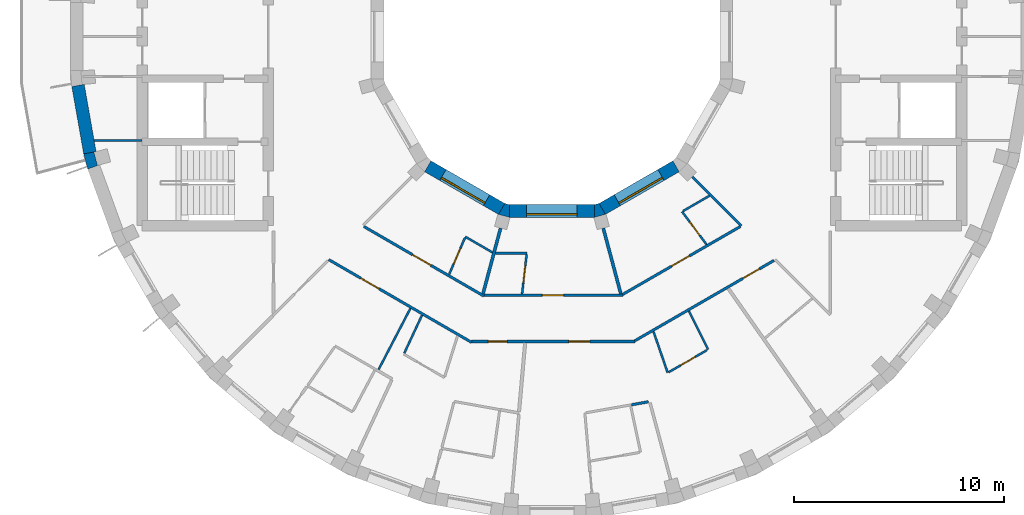
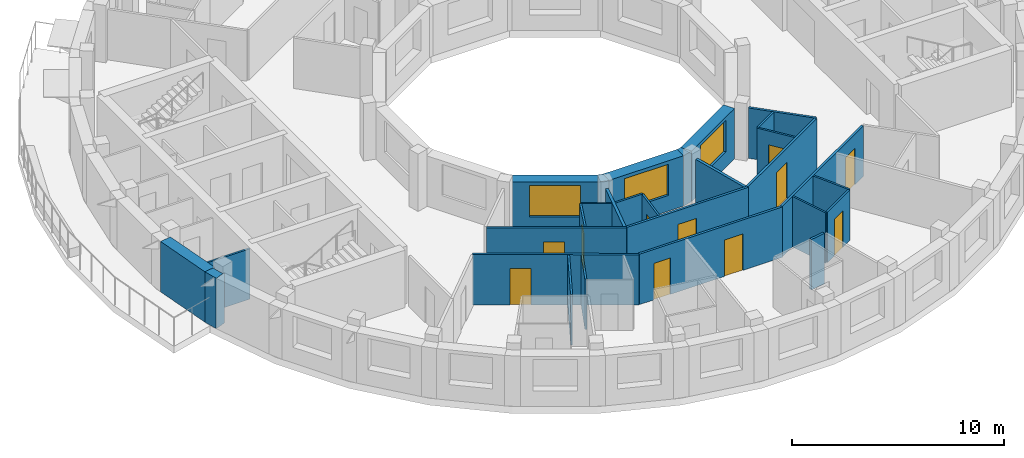
# One storey, part 3 of 10: 29 walls, 11 doors, 3 windows, 14 openings.
"""IFC4 building model written with IfcOpenShell, lengths in metres."""

from ifc_helpers import new_model, si_unit, direction, frame, frame_2d, origin, place, context, subcontext, project, spatial, polyline, rectangle, outline, extrude, material, layer, layer_set, type_object, element, fill, save


model = new_model("IFC4")

# Units and contexts
model_context = context("Model", 3, precision=1e-05, world=origin(), true_north=direction((0.0, 1.0)))
body_context = subcontext(model_context, "Body", "Model", "MODEL_VIEW")
ifc_project = project(units=[si_unit("LENGTHUNIT", "METRE"), si_unit("AREAUNIT", "SQUARE_METRE"), si_unit("VOLUMEUNIT", "CUBIC_METRE"), si_unit("PLANEANGLEUNIT", "RADIAN"), si_unit("MASSUNIT", "GRAM", prefix="KILO")], contexts=[model_context])

# Site, building, storey
site_placement = place(None, origin())
site = spatial("IfcSite", under=ifc_project, at=site_placement, CompositionType="ELEMENT")
building_placement = place(site_placement, origin())
building = spatial("IfcBuilding", under=site, at=building_placement, Name="Saqina Gate Tower", CompositionType="ELEMENT")
storey_placement = place(building_placement, frame((0.0, 0.0, 246.199951171875)))
storey = spatial("IfcBuildingStorey", under=building, at=storey_placement, Name="L70", CompositionType="ELEMENT", Elevation=246.199951171875)

# Walls
ifc_material_1 = material(Name="Brick masonry (buff)", Category="masonry")
wall_type_1 = type_object("IfcWallType", Name="BRICK PIER COPING BUFF", PredefinedType="SOLIDWALL", material=ifc_material_1)
wall_1_placement = place(storey_placement, origin())
element("IfcWall", 1, at=wall_1_placement, inside=storey, type_object=wall_type_1, Name="Pier cap L70 column 20", PredefinedType="SOLIDWALL", context=body_context, shape_type="SweptSolid", body=[
    extrude(outline(polyline([(-22.0869140625, -6.30859375), (-21.52294921875, -6.103515625), (-21.625, -6.130859375), (-21.793212890625, -5.5029296875), (-21.691162109375, -5.4755859375), (-22.281982421875, -5.579833984375), (-22.0869140625, -6.30859375)])), origin(), (0.0, 0.0, 1.0), 2.900146484375),
])
ifc_material_2 = material(Name="Gypsum board on steel studs", Category="steel")
ifc_layer_1 = layer(ifc_material_2, 0.10009765625)
ifc_layer_set_1 = layer_set([ifc_layer_1], Name="CORE PARTITION")
wall_type_2 = type_object("IfcWallType", Name="CORE PARTITION", PredefinedType="PARTITIONING", material=ifc_layer_set_1)
wall_2_placement = place(storey_placement, frame((-19.5, -4.949951171875, 0.0), z_axis=(0.0, 0.0, 1.0), x_axis=(-1.0, 0.0, 0.0)))
element("IfcWall", 2, at=wall_2_placement, inside=storey, type_object=wall_type_2, Name="L70-CP-W04", PredefinedType="PARTITIONING", context=body_context, shape_type="SweptSolid", body=[
    extrude(rectangle(XDim=2.283935546875, YDim=0.10009765625, at=frame_2d((1.14208984375, 0.0))), origin(), (0.0, 0.0, 1.0), 2.900146484375),
])
ifc_material_3 = material(Name="Glazed ceramic tile", Category="ceramic")
ifc_layer_2 = layer(ifc_material_3, 0.60009765625)
ifc_layer_set_2 = layer_set([ifc_layer_2], Name="FW-TILE")
wall_type_3 = type_object("IfcWallType", Name="FW-TILE", PredefinedType="SOLIDWALL", material=ifc_layer_set_2)
wall_3_placement = place(storey_placement, frame((-22.55126953125, -2.325439453125, 0.0), z_axis=(0.0, 0.0, 1.0), x_axis=(0.173656842178, -0.984806225186, 0.0)))
element("IfcWall", 3, at=wall_3_placement, inside=storey, type_object=wall_type_3, Name="Facade wall L70 facet 19", PredefinedType="SOLIDWALL", context=body_context, shape_type="SweptSolid", body=[
    extrude(rectangle(XDim=3.251708984375, YDim=0.60009765625, at=frame_2d((1.6259765625, 0.0))), origin(), (0.0, 0.0, 1.0), 2.900146484375),
])

# Wall, opening, window
ifc_material_4 = material(Name="Glazed ceramic tile", Category="ceramic")
ifc_layer_3 = layer(ifc_material_4, 0.60009765625)
ifc_layer_set_3 = layer_set([ifc_layer_3], Name="IW-TILE")
wall_type_4 = type_object("IfcWallType", Name="IW-TILE", PredefinedType="SOLIDWALL", material=ifc_layer_set_3)
wall_4_placement = place(storey_placement, frame((-5.907470703125, -6.17333984375, 0.0), z_axis=(0.0, 0.0, 1.0), x_axis=(0.866028316509, -0.499994954979, 0.0)))
wall_4 = element("IfcWall", 4, at=wall_4_placement, inside=storey, type_object=wall_type_4, Name="Well wall L70 facet 8", PredefinedType="SOLIDWALL", context=body_context, shape_type="SweptSolid", body=[
    extrude(rectangle(XDim=4.05859375, YDim=0.60009765625, at=frame_2d((2.029296875, 0.0))), origin(), (0.0, 0.0, 1.0), 2.900146484375),
])
opening_1_placement = place(wall_4_placement, frame((0.829345703125, 0.0, 0.89990234375)))
opening_1 = element("IfcOpeningElement", 5, at=opening_1_placement, cuts=wall_4, Name="Opening G20-W32", PredefinedType="OPENING", context=body_context, shape_type="SweptSolid", body=[
    extrude(rectangle(XDim=2.39990234375, YDim=1.800048828125, at=frame_2d((1.199951171875, 0.89990234375))), frame((0.0, 0.31201171875, 0.0), z_axis=(0.0, -1.0, 0.0), x_axis=(1.0, 0.0, 0.0)), (0.0, 0.0, 1.0), 0.6240234375),
])
ifc_material_5 = material(Name="Aluminium glazing", Category="aluminium")
window_type = type_object("IfcWindowType", Name="WN-W", PartitioningType="SINGLE_PANEL", PredefinedType="WINDOW", material=ifc_material_5)
window_1_placement = place(opening_1_placement, origin())
window_1 = element("IfcWindow", 6, at=window_1_placement, inside=storey, type_object=window_type, Name="Well window L70 facet 8", OverallHeight=1.800048828125, OverallWidth=2.39990234375, PartitioningType="SINGLE_PANEL", PredefinedType="WINDOW", context=body_context, shape_type="SweptSolid", body=[
    extrude(rectangle(XDim=2.39990234375, YDim=1.800048828125, at=frame_2d((1.199951171875, 0.89990234375))), frame((0.0, -0.119873046875, 0.0), z_axis=(0.0, -1.0, 0.0), x_axis=(1.0, 0.0, 0.0)), (0.0, 0.0, 1.0), 0.06005859375),
])
fill(opening_1, window_1)

wall_5_placement = place(storey_placement, frame((-2.029296875, -8.300048828125, 0.0), z_axis=(0.0, 0.0, 1.0), x_axis=(1.0, 0.0, 0.0)))
wall_5 = element("IfcWall", 7, at=wall_5_placement, inside=storey, type_object=wall_type_4, Name="Well wall L70 facet 9", PredefinedType="SOLIDWALL", context=body_context, shape_type="SweptSolid", body=[
    extrude(rectangle(XDim=4.05859375, YDim=0.60009765625, at=frame_2d((2.029296875, 0.0))), origin(), (0.0, 0.0, 1.0), 2.900146484375),
])
opening_2_placement = place(wall_5_placement, frame((0.829345703125, 0.0, 0.89990234375)))
opening_2 = element("IfcOpeningElement", 8, at=opening_2_placement, cuts=wall_5, Name="Opening G20-W33", PredefinedType="OPENING", context=body_context, shape_type="SweptSolid", body=[
    extrude(rectangle(XDim=2.39990234375, YDim=1.800048828125, at=frame_2d((1.199951171875, 0.89990234375))), frame((0.0, 0.31201171875, 0.0), z_axis=(0.0, -1.0, 0.0), x_axis=(1.0, 0.0, 0.0)), (0.0, 0.0, 1.0), 0.6240234375),
])
window_2_placement = place(opening_2_placement, origin())
window_2 = element("IfcWindow", 9, at=window_2_placement, inside=storey, type_object=window_type, Name="Well window L70 facet 9", OverallHeight=1.800048828125, OverallWidth=2.39990234375, PartitioningType="SINGLE_PANEL", PredefinedType="WINDOW", context=body_context, shape_type="SweptSolid", body=[
    extrude(rectangle(XDim=2.39990234375, YDim=1.800048828125, at=frame_2d((1.199951171875, 0.89990234375))), frame((0.0, -0.119873046875, 0.0), z_axis=(0.0, -1.0, 0.0), x_axis=(1.0, 0.0, 0.0)), (0.0, 0.0, 1.0), 0.06005859375),
])
fill(opening_2, window_2)

wall_6_placement = place(storey_placement, frame((2.392578125, -8.20263671875, 0.0), z_axis=(0.0, 0.0, 1.0), x_axis=(0.866028316509, 0.499994954979, 0.0)))
wall_6 = element("IfcWall", 10, at=wall_6_placement, inside=storey, type_object=wall_type_4, Name="Well wall L70 facet 10", PredefinedType="SOLIDWALL", context=body_context, shape_type="SweptSolid", body=[
    extrude(rectangle(XDim=4.05859375, YDim=0.60009765625, at=frame_2d((2.029296875, 0.0))), origin(), (0.0, 0.0, 1.0), 2.900146484375),
])
opening_3_placement = place(wall_6_placement, frame((0.829345703125, 0.0, 0.89990234375)))
opening_3 = element("IfcOpeningElement", 11, at=opening_3_placement, cuts=wall_6, Name="Opening G20-W34", PredefinedType="OPENING", context=body_context, shape_type="SweptSolid", body=[
    extrude(rectangle(XDim=2.39990234375, YDim=1.800048828125, at=frame_2d((1.199951171875, 0.89990234375))), frame((0.0, 0.31201171875, 0.0), z_axis=(0.0, -1.0, 0.0), x_axis=(1.0, 0.0, 0.0)), (0.0, 0.0, 1.0), 0.6240234375),
])
window_3_placement = place(opening_3_placement, origin())
window_3 = element("IfcWindow", 12, at=window_3_placement, inside=storey, type_object=window_type, Name="Well window L70 facet 10", OverallHeight=1.800048828125, OverallWidth=2.39990234375, PartitioningType="SINGLE_PANEL", PredefinedType="WINDOW", context=body_context, shape_type="SweptSolid", body=[
    extrude(rectangle(XDim=2.39990234375, YDim=1.800048828125, at=frame_2d((1.199951171875, 0.89990234375))), frame((0.0, -0.119873046875, 0.0), z_axis=(0.0, -1.0, 0.0), x_axis=(1.0, 0.0, 0.0)), (0.0, 0.0, 1.0), 0.06005859375),
])
fill(opening_3, window_3)

# Walls
ifc_material_6 = material(Name="Gypsum board on steel studs, 100 mm", Category="steel")
ifc_layer_4 = layer(ifc_material_6, 0.10009765625)
ifc_layer_set_4 = layer_set([ifc_layer_4], Name="PARTITION 100")
wall_type_5 = type_object("IfcWallType", Name="PARTITION 100", PredefinedType="PARTITIONING", material=ifc_layer_set_4)
wall_7_placement = place(storey_placement, frame((4.83251953125, -14.035400390625, 0.0), z_axis=(0.0, 0.0, 1.0), x_axis=(0.325747589184, -0.945456772222, 0.0)))
element("IfcWall", 13, at=wall_7_placement, inside=storey, type_object=wall_type_5, Name="PARTITION PW3-08", PredefinedType="PARTITIONING", context=body_context, shape_type="SweptSolid", body=[
    extrude(rectangle(XDim=2.07373046875, YDim=0.10009765625, at=frame_2d((1.036865234375, 0.0))), origin(), (0.0, 0.0, 1.0), 2.900146484375),
])
wall_8_placement = place(storey_placement, frame((6.51904296875, -13.06298828125, 0.0), z_axis=(0.0, 0.0, 1.0), x_axis=(0.446207639569, -0.894929462243, 0.0)))
element("IfcWall", 14, at=wall_8_placement, inside=storey, type_object=wall_type_5, Name="PARTITION PW3-11", PredefinedType="PARTITIONING", context=body_context, shape_type="SweptSolid", body=[
    extrude(rectangle(XDim=2.039306640625, YDim=0.10009765625, at=frame_2d((1.01953125, 0.0))), origin(), (0.0, 0.0, 1.0), 2.900146484375),
])

# Wall, opening, door
wall_9_placement = place(storey_placement, frame((6.19189453125, -8.330078125, 0.0), z_axis=(0.0, 0.0, 1.0), x_axis=(0.596570512615, -0.802560666541, 0.0)))
wall_9 = element("IfcWall", 15, at=wall_9_placement, inside=storey, type_object=wall_type_5, Name="PARTITION PW3-13", PredefinedType="PARTITIONING", context=body_context, shape_type="SweptSolid", body=[
    extrude(rectangle(XDim=1.950927734375, YDim=0.10009765625, at=frame_2d((0.9755859375, 0.0))), origin(), (0.0, 0.0, 1.0), 2.900146484375),
])
opening_4_placement = place(wall_9_placement, frame((0.606689453125, 0.0, 0.0)))
opening_4 = element("IfcOpeningElement", 16, at=opening_4_placement, cuts=wall_9, Name="Opening G20-D38", PredefinedType="OPENING", context=body_context, shape_type="SweptSolid", body=[
    extrude(rectangle(XDim=0.800048828125, YDim=2.10009765625, at=frame_2d((0.39990234375, 1.050048828125))), frame((0.0, 0.06201171875, 0.0), z_axis=(0.0, -1.0, 0.0), x_axis=(1.0, 0.0, 0.0)), (0.0, 0.0, 1.0), 0.1240234375),
])
ifc_material_7 = material(Name="Timber door leaf, 800 mm", Category="wood")
door_type_1 = type_object("IfcDoorType", Name="DOOR 800 TIMBER", OperationType="SINGLE_SWING_LEFT", PredefinedType="DOOR", material=ifc_material_7)
door_1_placement = place(opening_4_placement, frame((0.800048828125, 0.0, 0.0), z_axis=(0.0, 0.0, 1.0), x_axis=(-1.0, 0.0, 0.0)))
door_1 = element("IfcDoor", 17, at=door_1_placement, inside=storey, type_object=door_type_1, Name="DOOR G20-D38", OperationType="SINGLE_SWING_LEFT", OverallHeight=2.10009765625, OverallWidth=0.800048828125, PredefinedType="DOOR", context=body_context, shape_type="SweptSolid", body=[
    extrude(rectangle(XDim=0.800048828125, YDim=2.10009765625, at=frame_2d((0.39990234375, 1.050048828125))), frame((0.0, 0.02490234375, 0.0), z_axis=(0.0, -1.0, 0.0), x_axis=(1.0, 0.0, 0.0)), (0.0, 0.0, 1.0), 0.050048828125),
])
fill(opening_4, door_1)

# Walls
wall_10_placement = place(storey_placement, frame((-4.117919921875, -9.527099609375, 0.0), z_axis=(0.0, 0.0, 1.0), x_axis=(0.865863495864, -0.500280327947, 0.0)))
element("IfcWall", 18, at=wall_10_placement, inside=storey, type_object=wall_type_5, Name="PARTITION PW3-19", PredefinedType="PARTITIONING", context=body_context, shape_type="SweptSolid", body=[
    extrude(rectangle(XDim=1.489990234375, YDim=0.10009765625, at=frame_2d((0.7451171875, 0.0))), origin(), (0.0, 0.0, 1.0), 2.900146484375),
])
wall_11_placement = place(storey_placement, frame((-2.68798828125, -10.31005859375, 0.0), z_axis=(0.0, 0.0, 1.0), x_axis=(1.0, 0.0, 0.0)))
element("IfcWall", 19, at=wall_11_placement, inside=storey, type_object=wall_type_5, Name="PARTITION PW3-25", PredefinedType="PARTITIONING", context=body_context, shape_type="SweptSolid", body=[
    extrude(rectangle(XDim=1.490966796875, YDim=0.10009765625, at=frame_2d((0.74560546875, 0.0))), origin(), (0.0, 0.0, 1.0), 2.900146484375),
])

# Wall, opening, door
wall_12_placement = place(storey_placement, frame((5.553955078125, -15.972900390625, 0.0), z_axis=(0.0, 0.0, 1.0), x_axis=(0.866072001774, 0.499919281227, 0.0)))
wall_12 = element("IfcWall", 20, at=wall_12_placement, inside=storey, type_object=wall_type_5, Name="PARTITION PW3-33", PredefinedType="PARTITIONING", context=body_context, shape_type="SweptSolid", body=[
    extrude(rectangle(XDim=2.111572265625, YDim=0.10009765625, at=frame_2d((1.0556640625, 0.0))), origin(), (0.0, 0.0, 1.0), 2.900146484375),
])
opening_5_placement = place(wall_12_placement, frame((0.65576171875, 0.0, 0.0)))
opening_5 = element("IfcOpeningElement", 21, at=opening_5_placement, cuts=wall_12, Name="Opening G20-D36", PredefinedType="OPENING", context=body_context, shape_type="SweptSolid", body=[
    extrude(rectangle(XDim=0.800048828125, YDim=2.10009765625, at=frame_2d((0.39990234375, 1.050048828125))), frame((0.0, 0.06201171875, 0.0), z_axis=(0.0, -1.0, 0.0), x_axis=(1.0, 0.0, 0.0)), (0.0, 0.0, 1.0), 0.1240234375),
])
door_2_placement = place(opening_5_placement, frame((0.800048828125, 0.0, 0.0), z_axis=(0.0, 0.0, 1.0), x_axis=(-1.0, 0.0, 0.0)))
door_2 = element("IfcDoor", 22, at=door_2_placement, inside=storey, type_object=door_type_1, Name="DOOR G20-D36", OperationType="SINGLE_SWING_RIGHT", OverallHeight=2.10009765625, OverallWidth=0.800048828125, PredefinedType="DOOR", context=body_context, shape_type="SweptSolid", body=[
    extrude(rectangle(XDim=0.800048828125, YDim=2.10009765625, at=frame_2d((0.39990234375, 1.050048828125))), frame((0.0, 0.02490234375, 0.0), z_axis=(0.0, -1.0, 0.0), x_axis=(1.0, 0.0, 0.0)), (0.0, 0.0, 1.0), 0.050048828125),
])
fill(opening_5, door_2)

# Walls
wall_13_placement = place(storey_placement, frame((6.2353515625, -8.304931640625, 0.0), z_axis=(0.0, 0.0, 1.0), x_axis=(0.865874781837, 0.500260794165, 0.0)))
element("IfcWall", 23, at=wall_13_placement, inside=storey, type_object=wall_type_5, Name="PARTITION PW3-34", PredefinedType="PARTITIONING", context=body_context, shape_type="SweptSolid", body=[
    extrude(rectangle(XDim=1.452392578125, YDim=0.10009765625, at=frame_2d((0.72607421875, 0.0))), origin(), (0.0, 0.0, 1.0), 2.900146484375),
])
wall_14_placement = place(storey_placement, frame((-8.250244140625, -15.8466796875, 0.0), z_axis=(0.0, 0.0, 1.0), x_axis=(0.461751333764, 0.887009416955, 0.0)))
element("IfcWall", 24, at=wall_14_placement, inside=storey, type_object=wall_type_5, Name="PARTITION PW3-44", PredefinedType="PARTITIONING", context=body_context, shape_type="SweptSolid", body=[
    extrude(rectangle(XDim=3.278076171875, YDim=0.10009765625, at=frame_2d((1.63916015625, 0.0))), origin(), (0.0, 0.0, 1.0), 2.900146484375),
])
wall_15_placement = place(storey_placement, frame((-7.02587890625, -15.065673828125, 0.0), z_axis=(0.0, 0.0, 1.0), x_axis=(0.422771582019, 0.906236276827, 0.0)))
element("IfcWall", 25, at=wall_15_placement, inside=storey, type_object=wall_type_5, Name="PARTITION PW3-45", PredefinedType="PARTITIONING", context=body_context, shape_type="SweptSolid", body=[
    extrude(rectangle(XDim=1.9951171875, YDim=0.10009765625, at=frame_2d((0.99755859375, 0.0))), origin(), (0.0, 0.0, 1.0), 2.900146484375),
])

# Wall, opening, door
wall_16_placement = place(storey_placement, frame((-4.89208984375, -11.317626953125, 0.0), z_axis=(0.0, 0.0, 1.0), x_axis=(0.396785383472, 0.917911411555, 0.0)))
wall_16 = element("IfcWall", 26, at=wall_16_placement, inside=storey, type_object=wall_type_5, Name="PARTITION PW3-46", PredefinedType="PARTITIONING", context=body_context, shape_type="SweptSolid", body=[
    extrude(rectangle(XDim=1.900634765625, YDim=0.10009765625, at=frame_2d((0.9501953125, 0.0))), origin(), (0.0, 0.0, 1.0), 2.900146484375),
])
opening_6_placement = place(wall_16_placement, frame((0.544189453125, 0.0, 0.0)))
opening_6 = element("IfcOpeningElement", 27, at=opening_6_placement, cuts=wall_16, Name="Opening G20-D26", PredefinedType="OPENING", context=body_context, shape_type="SweptSolid", body=[
    extrude(rectangle(XDim=0.800048828125, YDim=2.10009765625, at=frame_2d((0.39990234375, 1.050048828125))), frame((0.0, 0.06201171875, 0.0), z_axis=(0.0, -1.0, 0.0), x_axis=(1.0, 0.0, 0.0)), (0.0, 0.0, 1.0), 0.1240234375),
])
door_3_placement = place(opening_6_placement, origin())
door_3 = element("IfcDoor", 28, at=door_3_placement, inside=storey, type_object=door_type_1, Name="DOOR G20-D26", OperationType="SINGLE_SWING_LEFT", OverallHeight=2.10009765625, OverallWidth=0.800048828125, PredefinedType="DOOR", context=body_context, shape_type="SweptSolid", body=[
    extrude(rectangle(XDim=0.800048828125, YDim=2.10009765625, at=frame_2d((0.39990234375, 1.050048828125))), frame((0.0, 0.02490234375, 0.0), z_axis=(0.0, -1.0, 0.0), x_axis=(1.0, 0.0, 0.0)), (0.0, 0.0, 1.0), 0.050048828125),
])
fill(opening_6, door_3)

wall_17_placement = place(storey_placement, frame((-1.421875, -12.247802734375, 0.0), z_axis=(0.0, 0.0, 1.0), x_axis=(0.115209091431, 0.993341263238, 0.0)))
wall_17 = element("IfcWall", 29, at=wall_17_placement, inside=storey, type_object=wall_type_5, Name="PARTITION PW3-51", PredefinedType="PARTITIONING", context=body_context, shape_type="SweptSolid", body=[
    extrude(rectangle(XDim=1.90087890625, YDim=0.10009765625, at=frame_2d((0.950439453125, 0.0))), origin(), (0.0, 0.0, 1.0), 2.900146484375),
])
opening_7_placement = place(wall_17_placement, frame((0.544189453125, 0.0, 0.0)))
opening_7 = element("IfcOpeningElement", 30, at=opening_7_placement, cuts=wall_17, Name="Opening G20-D31", PredefinedType="OPENING", context=body_context, shape_type="SweptSolid", body=[
    extrude(rectangle(XDim=0.800048828125, YDim=2.10009765625, at=frame_2d((0.39990234375, 1.050048828125))), frame((0.0, 0.06201171875, 0.0), z_axis=(0.0, -1.0, 0.0), x_axis=(1.0, 0.0, 0.0)), (0.0, 0.0, 1.0), 0.1240234375),
])
door_4_placement = place(opening_7_placement, frame((0.800048828125, 0.0, 0.0), z_axis=(0.0, 0.0, 1.0), x_axis=(-1.0, 0.0, 0.0)))
door_4 = element("IfcDoor", 31, at=door_4_placement, inside=storey, type_object=door_type_1, Name="DOOR G20-D31", OperationType="SINGLE_SWING_RIGHT", OverallHeight=2.10009765625, OverallWidth=0.800048828125, PredefinedType="DOOR", context=body_context, shape_type="SweptSolid", body=[
    extrude(rectangle(XDim=0.800048828125, YDim=2.10009765625, at=frame_2d((0.39990234375, 1.050048828125))), frame((0.0, 0.02490234375, 0.0), z_axis=(0.0, -1.0, 0.0), x_axis=(1.0, 0.0, 0.0)), (0.0, 0.0, 1.0), 0.050048828125),
])
fill(opening_7, door_4)

# Wall
ifc_material_8 = material(Name="Gypsum board on steel studs, 125 mm, fire rated", Category="steel")
ifc_layer_5 = layer(ifc_material_8, 0.125)
ifc_layer_set_5 = layer_set([ifc_layer_5], Name="PARTITION EI 30 125")
wall_type_6 = type_object("IfcWallType", Name="PARTITION EI 30 125", PredefinedType="PARTITIONING", material=ifc_layer_set_5)
wall_18_placement = place(storey_placement, frame((6.6767578125, -6.6767578125, 0.0), z_axis=(0.0, 0.0, 1.0), x_axis=(0.707106781187, -0.707106781187, 0.0)))
element("IfcWall", 32, at=wall_18_placement, inside=storey, type_object=wall_type_6, Name="PARTITION PW1-08", PredefinedType="PARTITIONING", context=body_context, shape_type="SweptSolid", body=[
    extrude(rectangle(XDim=3.302490234375, YDim=0.125, at=frame_2d((1.6513671875, 0.0))), origin(), (0.0, 0.0, 1.0), 2.900146484375),
])

# Wall, opening, door
wall_19_placement = place(storey_placement, frame((-10.6181640625, -10.615234375, 0.0), z_axis=(0.0, 0.0, 1.0), x_axis=(0.865323364785, -0.501214000561, 0.0)))
wall_19 = element("IfcWall", 33, at=wall_19_placement, inside=storey, type_object=wall_type_6, Name="PARTITION PW1-10", PredefinedType="PARTITIONING", context=body_context, shape_type="SweptSolid", body=[
    extrude(rectangle(XDim=7.85107421875, YDim=0.125, at=frame_2d((3.925537109375, 0.0))), origin(), (0.0, 0.0, 1.0), 2.900146484375),
])
opening_8_placement = place(wall_19_placement, frame((1.759765625, 0.0, 0.0)))
opening_8 = element("IfcOpeningElement", 34, at=opening_8_placement, cuts=wall_19, Name="Opening G20-D22", PredefinedType="OPENING", context=body_context, shape_type="SweptSolid", body=[
    extrude(rectangle(XDim=1.0, YDim=2.10009765625, at=frame_2d((0.5, 1.050048828125))), frame((0.0, 0.074462890625, 0.0), z_axis=(0.0, -1.0, 0.0), x_axis=(1.0, 0.0, 0.0)), (0.0, 0.0, 1.0), 0.14892578125),
])
ifc_material_9 = material(Name="Fire door leaf EI 30, 1000 mm")
door_type_2 = type_object("IfcDoorType", Name="DOOR 1000 EI 30", OperationType="SINGLE_SWING_LEFT", PredefinedType="DOOR", material=ifc_material_9)
door_5_placement = place(opening_8_placement, frame((1.0, 0.0, 0.0), z_axis=(0.0, 0.0, 1.0), x_axis=(-1.0, 0.0, 0.0)))
door_5 = element("IfcDoor", 35, at=door_5_placement, inside=storey, type_object=door_type_2, Name="DOOR G20-D22", OperationType="SINGLE_SWING_RIGHT", OverallHeight=2.10009765625, OverallWidth=1.0, PredefinedType="DOOR", context=body_context, shape_type="SweptSolid", body=[
    extrude(rectangle(XDim=1.0, YDim=2.10009765625, at=frame_2d((0.5, 1.050048828125))), frame((0.0, 0.02490234375, 0.0), z_axis=(0.0, -1.0, 0.0), x_axis=(1.0, 0.0, 0.0)), (0.0, 0.0, 1.0), 0.050048828125),
])
fill(opening_8, door_5)

wall_20_placement = place(storey_placement, frame((-8.953369140625, -9.03564453125, 0.0), z_axis=(0.0, 0.0, 1.0), x_axis=(0.865185064951, -0.501452693068, 0.0)))
wall_20 = element("IfcWall", 36, at=wall_20_placement, inside=storey, type_object=wall_type_6, Name="PARTITION PW1-11", PredefinedType="PARTITIONING", context=body_context, shape_type="SweptSolid", body=[
    extrude(rectangle(XDim=6.608642578125, YDim=0.125, at=frame_2d((3.30419921875, 0.0))), origin(), (0.0, 0.0, 1.0), 2.900146484375),
])
opening_9_placement = place(wall_20_placement, frame((2.68505859375, 0.0, 0.0)))
opening_9 = element("IfcOpeningElement", 37, at=opening_9_placement, cuts=wall_20, Name="Opening G20-D25", PredefinedType="OPENING", context=body_context, shape_type="SweptSolid", body=[
    extrude(rectangle(XDim=1.0, YDim=2.10009765625, at=frame_2d((0.5, 1.050048828125))), frame((0.0, 0.074462890625, 0.0), z_axis=(0.0, -1.0, 0.0), x_axis=(1.0, 0.0, 0.0)), (0.0, 0.0, 1.0), 0.14892578125),
])
door_6_placement = place(opening_9_placement, origin())
door_6 = element("IfcDoor", 38, at=door_6_placement, inside=storey, type_object=door_type_2, Name="DOOR G20-D25", OperationType="SINGLE_SWING_LEFT", OverallHeight=2.10009765625, OverallWidth=1.0, PredefinedType="DOOR", context=body_context, shape_type="SweptSolid", body=[
    extrude(rectangle(XDim=1.0, YDim=2.10009765625, at=frame_2d((0.5, 1.050048828125))), frame((0.0, 0.02490234375, 0.0), z_axis=(0.0, -1.0, 0.0), x_axis=(1.0, 0.0, 0.0)), (0.0, 0.0, 1.0), 0.050048828125),
])
fill(opening_9, door_6)

# Wall, openings, doors
wall_21_placement = place(storey_placement, frame((-3.824462890625, -14.510009765625, 0.0), z_axis=(0.0, 0.0, 1.0), x_axis=(1.0, 0.0, 0.0)))
wall_21 = element("IfcWall", 39, at=wall_21_placement, inside=storey, type_object=wall_type_6, Name="PARTITION PW1-17", PredefinedType="PARTITIONING", context=body_context, shape_type="SweptSolid", body=[
    extrude(rectangle(XDim=7.78466796875, YDim=0.125, at=frame_2d((3.892333984375, 0.0))), origin(), (0.0, 0.0, 1.0), 2.900146484375),
])
opening_10_placement = place(wall_21_placement, frame((0.7958984375, 0.0, 0.0)))
opening_10 = element("IfcOpeningElement", 40, at=opening_10_placement, cuts=wall_21, Name="Opening G20-D30", PredefinedType="OPENING", context=body_context, shape_type="SweptSolid", body=[
    extrude(rectangle(XDim=0.89990234375, YDim=2.10009765625, at=frame_2d((0.449951171875, 1.050048828125))), frame((0.0, 0.074462890625, 0.0), z_axis=(0.0, -1.0, 0.0), x_axis=(1.0, 0.0, 0.0)), (0.0, 0.0, 1.0), 0.14892578125),
])
opening_11_placement = place(wall_21_placement, frame((4.634033203125, 0.0, 0.0)))
opening_11 = element("IfcOpeningElement", 41, at=opening_11_placement, cuts=wall_21, Name="Opening G20-D34", PredefinedType="OPENING", context=body_context, shape_type="SweptSolid", body=[
    extrude(rectangle(XDim=1.0, YDim=2.10009765625, at=frame_2d((0.5, 1.050048828125))), frame((0.0, 0.074462890625, 0.0), z_axis=(0.0, -1.0, 0.0), x_axis=(1.0, 0.0, 0.0)), (0.0, 0.0, 1.0), 0.14892578125),
])
door_7_placement = place(opening_11_placement, origin())
door_7 = element("IfcDoor", 42, at=door_7_placement, inside=storey, type_object=door_type_2, Name="DOOR G20-D34", OperationType="SINGLE_SWING_RIGHT", OverallHeight=2.10009765625, OverallWidth=1.0, PredefinedType="DOOR", context=body_context, shape_type="SweptSolid", body=[
    extrude(rectangle(XDim=1.0, YDim=2.10009765625, at=frame_2d((0.5, 1.050048828125))), frame((0.0, 0.02490234375, 0.0), z_axis=(0.0, -1.0, 0.0), x_axis=(1.0, 0.0, 0.0)), (0.0, 0.0, 1.0), 0.050048828125),
])
fill(opening_11, door_7)
ifc_material_10 = material(Name="Fire door leaf EI 30, 900 mm")
door_type_3 = type_object("IfcDoorType", Name="DOOR 900 EI 30", OperationType="SINGLE_SWING_LEFT", PredefinedType="DOOR", material=ifc_material_10)
door_8_placement = place(opening_10_placement, frame((0.89990234375, 0.0, 0.0), z_axis=(0.0, 0.0, 1.0), x_axis=(-1.0, 0.0, 0.0)))
door_8 = element("IfcDoor", 43, at=door_8_placement, inside=storey, type_object=door_type_3, Name="DOOR G20-D30", OperationType="SINGLE_SWING_RIGHT", OverallHeight=2.10009765625, OverallWidth=0.89990234375, PredefinedType="DOOR", context=body_context, shape_type="SweptSolid", body=[
    extrude(rectangle(XDim=0.89990234375, YDim=2.10009765625, at=frame_2d((0.449951171875, 1.050048828125))), frame((0.0, 0.02490234375, 0.0), z_axis=(0.0, -1.0, 0.0), x_axis=(1.0, 0.0, 0.0)), (0.0, 0.0, 1.0), 0.050048828125),
])
fill(opening_10, door_8)

# Wall, opening, door
wall_22_placement = place(storey_placement, frame((-3.235595703125, -12.31005859375, 0.0), z_axis=(0.0, 0.0, 1.0), x_axis=(1.0, 0.0, 0.0)))
wall_22 = element("IfcWall", 44, at=wall_22_placement, inside=storey, type_object=wall_type_6, Name="PARTITION PW1-18", PredefinedType="PARTITIONING", context=body_context, shape_type="SweptSolid", body=[
    extrude(rectangle(XDim=6.6201171875, YDim=0.125, at=frame_2d((3.31005859375, 0.0))), origin(), (0.0, 0.0, 1.0), 2.900146484375),
])
opening_12_placement = place(wall_22_placement, frame((2.78662109375, 0.0, 0.0)))
opening_12 = element("IfcOpeningElement", 45, at=opening_12_placement, cuts=wall_22, Name="Opening G20-D32", PredefinedType="OPENING", context=body_context, shape_type="SweptSolid", body=[
    extrude(rectangle(XDim=1.0, YDim=2.10009765625, at=frame_2d((0.5, 1.050048828125))), frame((0.0, 0.074462890625, 0.0), z_axis=(0.0, -1.0, 0.0), x_axis=(1.0, 0.0, 0.0)), (0.0, 0.0, 1.0), 0.14892578125),
])
door_9_placement = place(opening_12_placement, origin())
door_9 = element("IfcDoor", 46, at=door_9_placement, inside=storey, type_object=door_type_2, Name="DOOR G20-D32", OperationType="SINGLE_SWING_LEFT", OverallHeight=2.10009765625, OverallWidth=1.0, PredefinedType="DOOR", context=body_context, shape_type="SweptSolid", body=[
    extrude(rectangle(XDim=1.0, YDim=2.10009765625, at=frame_2d((0.5, 1.050048828125))), frame((0.0, 0.02490234375, 0.0), z_axis=(0.0, -1.0, 0.0), x_axis=(1.0, 0.0, 0.0)), (0.0, 0.0, 1.0), 0.050048828125),
])
fill(opening_12, door_9)

# Wall
wall_23_placement = place(storey_placement, frame((3.787353515625, -17.521240234375, 0.0), z_axis=(0.0, 0.0, 1.0), x_axis=(0.984747422564, 0.173989981764, 0.0)))
element("IfcWall", 47, at=wall_23_placement, inside=storey, type_object=wall_type_6, Name="PARTITION PW1-21", PredefinedType="PARTITIONING", context=body_context, shape_type="SweptSolid", body=[
    extrude(rectangle(XDim=0.816650390625, YDim=0.125, at=frame_2d((0.408203125, 0.0))), origin(), (0.0, 0.0, 1.0), 2.900146484375),
])

# Wall, opening, door
wall_24_placement = place(storey_placement, frame((3.942138671875, -14.478759765625, 0.0), z_axis=(0.0, 0.0, 1.0), x_axis=(0.866021382195, 0.500006965533, 0.0)))
wall_24 = element("IfcWall", 48, at=wall_24_placement, inside=storey, type_object=wall_type_6, Name="PARTITION PW1-24", PredefinedType="PARTITIONING", context=body_context, shape_type="SweptSolid", body=[
    extrude(rectangle(XDim=7.65087890625, YDim=0.125, at=frame_2d((3.825439453125, 0.0))), origin(), (0.0, 0.0, 1.0), 2.900146484375),
])
opening_13_placement = place(wall_24_placement, frame((5.9541015625, 0.0, 0.0)))
opening_13 = element("IfcOpeningElement", 49, at=opening_13_placement, cuts=wall_24, Name="Opening G20-D40", PredefinedType="OPENING", context=body_context, shape_type="SweptSolid", body=[
    extrude(rectangle(XDim=0.89990234375, YDim=2.10009765625, at=frame_2d((0.449951171875, 1.050048828125))), frame((0.0, 0.074462890625, 0.0), z_axis=(0.0, -1.0, 0.0), x_axis=(1.0, 0.0, 0.0)), (0.0, 0.0, 1.0), 0.14892578125),
])
door_10_placement = place(opening_13_placement, frame((0.89990234375, 0.0, 0.0), z_axis=(0.0, 0.0, 1.0), x_axis=(-1.0, 0.0, 0.0)))
door_10 = element("IfcDoor", 50, at=door_10_placement, inside=storey, type_object=door_type_3, Name="DOOR G20-D40", OperationType="SINGLE_SWING_LEFT", OverallHeight=2.10009765625, OverallWidth=0.89990234375, PredefinedType="DOOR", context=body_context, shape_type="SweptSolid", body=[
    extrude(rectangle(XDim=0.89990234375, YDim=2.10009765625, at=frame_2d((0.449951171875, 1.050048828125))), frame((0.0, 0.02490234375, 0.0), z_axis=(0.0, -1.0, 0.0), x_axis=(1.0, 0.0, 0.0)), (0.0, 0.0, 1.0), 0.050048828125),
])
fill(opening_13, door_10)

wall_25_placement = place(storey_placement, frame((3.363037109375, -12.2724609375, 0.0), z_axis=(0.0, 0.0, 1.0), x_axis=(0.866083637917, 0.499899121956, 0.0)))
wall_25 = element("IfcWall", 51, at=wall_25_placement, inside=storey, type_object=wall_type_6, Name="PARTITION PW1-25", PredefinedType="PARTITIONING", context=body_context, shape_type="SweptSolid", body=[
    extrude(rectangle(XDim=6.459716796875, YDim=0.125, at=frame_2d((3.22998046875, 0.0))), origin(), (0.0, 0.0, 1.0), 2.900146484375),
])
opening_14_placement = place(wall_25_placement, frame((2.673095703125, 0.0, 0.0)))
opening_14 = element("IfcOpeningElement", 52, at=opening_14_placement, cuts=wall_25, Name="Opening G20-D37", PredefinedType="OPENING", context=body_context, shape_type="SweptSolid", body=[
    extrude(rectangle(XDim=1.0, YDim=2.10009765625, at=frame_2d((0.5, 1.050048828125))), frame((0.0, 0.074462890625, 0.0), z_axis=(0.0, -1.0, 0.0), x_axis=(1.0, 0.0, 0.0)), (0.0, 0.0, 1.0), 0.14892578125),
])
door_11_placement = place(opening_14_placement, origin())
door_11 = element("IfcDoor", 53, at=door_11_placement, inside=storey, type_object=door_type_2, Name="DOOR G20-D37", OperationType="SINGLE_SWING_LEFT", OverallHeight=2.10009765625, OverallWidth=1.0, PredefinedType="DOOR", context=body_context, shape_type="SweptSolid", body=[
    extrude(rectangle(XDim=1.0, YDim=2.10009765625, at=frame_2d((0.5, 1.050048828125))), frame((0.0, 0.02490234375, 0.0), z_axis=(0.0, -1.0, 0.0), x_axis=(1.0, 0.0, 0.0)), (0.0, 0.0, 1.0), 0.050048828125),
])
fill(opening_14, door_11)

# Walls
ifc_material_11 = material(Name="Gypsum board on steel studs, 150 mm, fire rated", Category="steel")
ifc_layer_6 = layer(ifc_material_11, 0.14990234375)
ifc_layer_set_6 = layer_set([ifc_layer_6], Name="PARTITION EI 60 150")
wall_type_7 = type_object("IfcWallType", Name="PARTITION EI 60 150", PredefinedType="PARTITIONING", material=ifc_layer_set_6)
wall_26_placement = place(storey_placement, frame((2.44384765625, -9.12060546875, 0.0), z_axis=(0.0, 0.0, 1.0), x_axis=(0.258356832743, -0.966049557205, 0.0)))
element("IfcWall", 54, at=wall_26_placement, inside=storey, type_object=wall_type_7, Name="PARTITION PW2-02", PredefinedType="PARTITIONING", context=body_context, shape_type="SweptSolid", body=[
    extrude(rectangle(XDim=3.2392578125, YDim=0.14990234375, at=frame_2d((1.61962890625, 0.0))), origin(), (0.0, 0.0, 1.0), 2.900146484375),
])
wall_27_placement = place(storey_placement, frame((-3.282470703125, -12.24951171875, 0.0), z_axis=(0.0, 0.0, 1.0), x_axis=(0.258727295272, 0.965950405912, 0.0)))
element("IfcWall", 55, at=wall_27_placement, inside=storey, type_object=wall_type_7, Name="PARTITION PW2-06", PredefinedType="PARTITIONING", context=body_context, shape_type="SweptSolid", body=[
    extrude(rectangle(XDim=3.239501953125, YDim=0.14990234375, at=frame_2d((1.61962890625, 0.0))), origin(), (0.0, 0.0, 1.0), 2.900146484375),
])
ifc_material_12 = material(Name="Glazed ceramic tile", Category="ceramic")
wall_type_8 = type_object("IfcWallType", Name="TILE PIER COPING", PredefinedType="SOLIDWALL", material=ifc_material_12)
wall_28_placement = place(storey_placement, origin())
element("IfcWall", 56, at=wall_28_placement, inside=storey, type_object=wall_type_8, Name="Well pier cap L70 column 9", PredefinedType="SOLIDWALL", context=body_context, shape_type="SweptSolid", body=[
    extrude(outline(polyline([(-2.029296875, -8.60009765625), (-2.029296875, -8.0), (-2.242431640625, -7.94287109375), (-2.54248046875, -8.46240234375), (-2.029296875, -8.60009765625)])), origin(), (0.0, 0.0, 1.0), 2.900146484375),
])
wall_29_placement = place(storey_placement, origin())
element("IfcWall", 57, at=wall_29_placement, inside=storey, type_object=wall_type_8, Name="Well pier cap L70 column 10", PredefinedType="SOLIDWALL", context=body_context, shape_type="SweptSolid", body=[
    extrude(outline(polyline([(2.54248046875, -8.46240234375), (2.242431640625, -7.94287109375), (2.029296875, -8.0), (2.029296875, -8.60009765625), (2.54248046875, -8.46240234375)])), origin(), (0.0, 0.0, 1.0), 2.900146484375),
])

save(model, "model.ifc")
